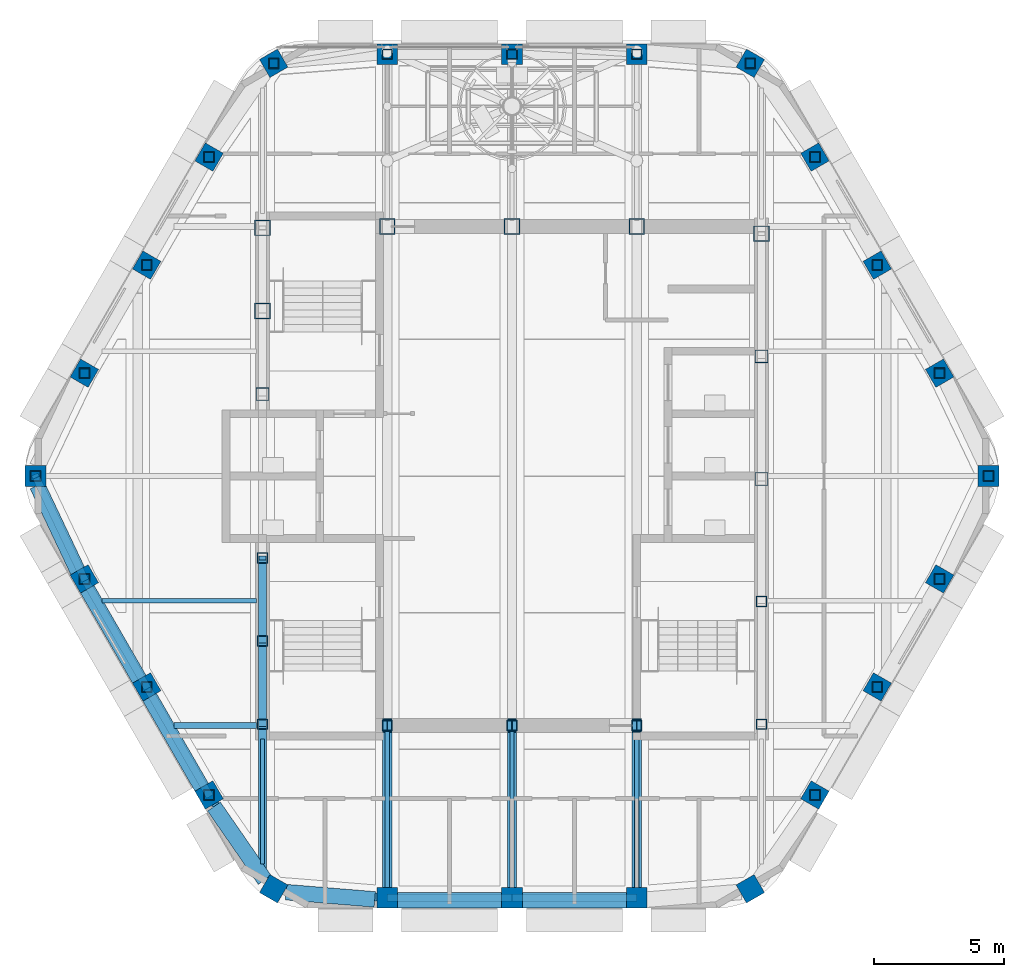
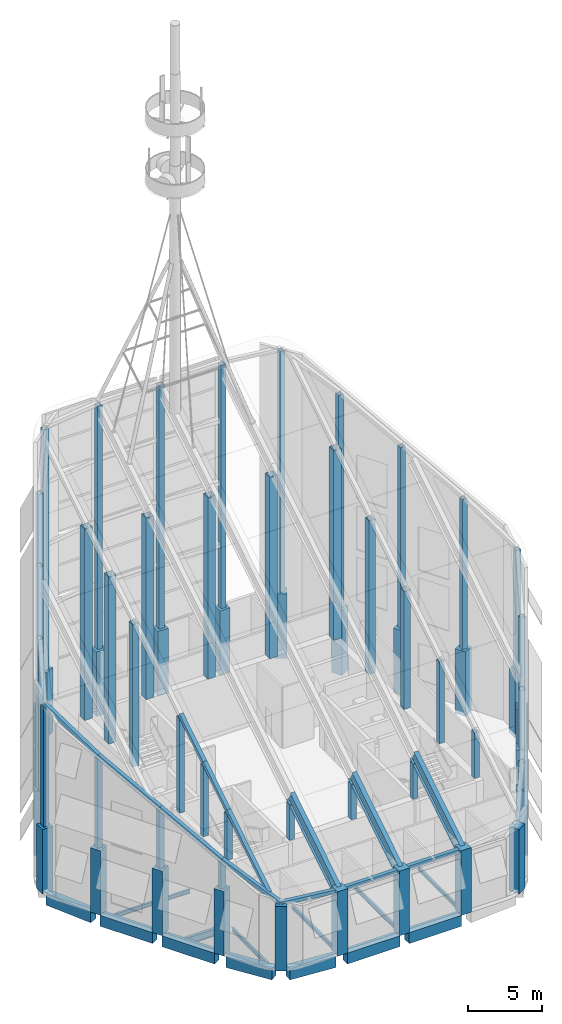
# One storey, part 1 of 25: 60 columns, 13 beams, 13 members.
"""IFC4 building model written with IfcOpenShell, lengths in metres."""

from ifc_helpers import new_model, si_unit, direction, frame, origin, origin_2d, place, context, subcontext, project, spatial, rectangle, hollow_rectangle, i_section, extrude, material, material_profile, profile_set, type_object, element, save


model = new_model("IFC4")

# Units and contexts
model_context = context("Model", 3, precision=1e-05, world=origin(), true_north=direction((0.0, 1.0)))
body_context = subcontext(model_context, "Body", "Model", "MODEL_VIEW")
ifc_project = project(units=[si_unit("LENGTHUNIT", "METRE"), si_unit("AREAUNIT", "SQUARE_METRE"), si_unit("VOLUMEUNIT", "CUBIC_METRE"), si_unit("PLANEANGLEUNIT", "RADIAN"), si_unit("MASSUNIT", "GRAM", prefix="KILO")], contexts=[model_context])

# Site, building, storey
site_placement = place(None, origin())
site = spatial("IfcSite", under=ifc_project, at=site_placement, CompositionType="ELEMENT")
building_placement = place(site_placement, origin())
building = spatial("IfcBuilding", under=site, at=building_placement, Name="Kolab Exchange Tower", CompositionType="ELEMENT")
storey_placement = place(building_placement, frame((0.0, 0.0, 301.89990234375)))
storey = spatial("IfcBuildingStorey", under=building, at=storey_placement, Name="L68", CompositionType="ELEMENT", Elevation=301.89990234375)

# Columns
ifc_material_1 = material(Name="Steel S355", Category="steel")
ifc_material_profile_1 = material_profile(ifc_material_1, hollow_rectangle(XDim=0.39990234375, YDim=0.39990234375, WallThickness=0.02001953125, at=origin_2d()), Name="HSS400X400X20")
ifc_profile_set_1 = profile_set([ifc_material_profile_1], Name="Steel S355")
column_type_1 = type_object("IfcColumnType", Name="CROWN POST HSS400X400X20", PredefinedType="COLUMN", material=ifc_profile_set_1)
column_1_placement = place(storey_placement, frame((-9.16796875, 15.87939453125, 5.0), z_axis=(0.0, 0.0, 1.0), x_axis=(1.0, 0.0, 0.0)))
element("IfcColumn", 1, at=column_1_placement, inside=storey, type_object=column_type_1, Name="col/L68/crown/F1-01", PredefinedType="COLUMN", context=body_context, shape_type="SweptSolid", body=[
    extrude(hollow_rectangle(XDim=0.39990234375, YDim=0.39990234375, WallThickness=0.02001953125, at=origin_2d()), origin(), (0.0, 0.0, 1.0), 19.76806640625),
])
for number, where, z_axis, x_axis, name in (
    (2, (-4.800048828125, 16.227783203125, 5.0), (0.0, 0.0, 1.0), (1.0, 0.0, 0.0), "col/L68/crown/F1-02"),
    (3, (0.0, 16.227783203125, 5.0), (0.0, 0.0, 1.0), (1.0, 0.0, 0.0), "col/L68/crown/F1-03"),
    (4, (4.800048828125, 16.227783203125, 5.0), (0.0, 0.0, 1.0), (1.0, 0.0, 0.0), "col/L68/crown/F1-04"),
):
    element("IfcColumn", number, at=place(storey_placement, frame(where, z_axis=z_axis, x_axis=x_axis)), inside=storey, type_object=column_type_1, Name=name, PredefinedType="COLUMN", context=body_context, shape_type="SweptSolid", body=[
        extrude(hollow_rectangle(XDim=0.39990234375, YDim=0.39990234375, WallThickness=0.02001953125, at=origin_2d()), origin(), (0.0, 0.0, 1.0), 19.985595703125),
    ])
column_2_placement = place(storey_placement, frame((9.16796875, 15.87939453125, 5.0), z_axis=(0.0, 0.0, 1.0), x_axis=(1.0, 0.0, 0.0)))
element("IfcColumn", 5, at=column_2_placement, inside=storey, type_object=column_type_1, Name="col/L68/crown/F2-01", PredefinedType="COLUMN", context=body_context, shape_type="SweptSolid", body=[
    extrude(hollow_rectangle(XDim=0.39990234375, YDim=0.39990234375, WallThickness=0.02001953125, at=origin_2d()), origin(), (0.0, 0.0, 1.0), 19.76806640625),
])
column_3_placement = place(storey_placement, frame((11.653564453125, 12.270751953125, 5.0), z_axis=(0.0, 0.0, 1.0), x_axis=(1.0, 0.0, 0.0)))
element("IfcColumn", 6, at=column_3_placement, inside=storey, type_object=column_type_1, Name="col/L68/crown/F2-02", PredefinedType="COLUMN", context=body_context, shape_type="SweptSolid", body=[
    extrude(hollow_rectangle(XDim=0.39990234375, YDim=0.39990234375, WallThickness=0.02001953125, at=origin_2d()), origin(), (0.0, 0.0, 1.0), 17.512939453125),
])
column_4_placement = place(storey_placement, frame((14.0537109375, 8.11376953125, 5.0), z_axis=(0.0, 0.0, 1.0), x_axis=(1.0, 0.0, 0.0)))
element("IfcColumn", 7, at=column_4_placement, inside=storey, type_object=column_type_1, Name="col/L68/crown/F2-03", PredefinedType="COLUMN", context=body_context, shape_type="SweptSolid", body=[
    extrude(hollow_rectangle(XDim=0.39990234375, YDim=0.39990234375, WallThickness=0.02001953125, at=origin_2d()), origin(), (0.0, 0.0, 1.0), 14.91552734375),
])
column_5_placement = place(storey_placement, frame((16.45361328125, 3.95703125, 5.0), z_axis=(0.0, 0.0, 1.0), x_axis=(1.0, 0.0, 0.0)))
element("IfcColumn", 8, at=column_5_placement, inside=storey, type_object=column_type_1, Name="col/L68/crown/F2-04", PredefinedType="COLUMN", context=body_context, shape_type="SweptSolid", body=[
    extrude(hollow_rectangle(XDim=0.39990234375, YDim=0.39990234375, WallThickness=0.02001953125, at=origin_2d()), origin(), (0.0, 0.0, 1.0), 12.318115234375),
])
column_6_placement = place(storey_placement, frame((18.3359375, 0.0, 5.0), z_axis=(0.0, 0.0, 1.0), x_axis=(1.0, 0.0, 0.0)))
element("IfcColumn", 9, at=column_6_placement, inside=storey, type_object=column_type_1, Name="col/L68/crown/F3-01", PredefinedType="COLUMN", context=body_context, shape_type="SweptSolid", body=[
    extrude(hollow_rectangle(XDim=0.39990234375, YDim=0.39990234375, WallThickness=0.02001953125, at=origin_2d()), origin(), (0.0, 0.0, 1.0), 9.845458984375),
])
column_7_placement = place(storey_placement, frame((16.45361328125, -3.95703125, 5.0), z_axis=(0.0, 0.0, 1.0), x_axis=(1.0, 0.0, 0.0)))
element("IfcColumn", 10, at=column_7_placement, inside=storey, type_object=column_type_1, Name="col/L68/crown/F3-02", PredefinedType="COLUMN", context=body_context, shape_type="SweptSolid", body=[
    extrude(hollow_rectangle(XDim=0.39990234375, YDim=0.39990234375, WallThickness=0.02001953125, at=origin_2d()), origin(), (0.0, 0.0, 1.0), 7.372802734375),
])
column_8_placement = place(storey_placement, frame((14.0537109375, -8.11376953125, 5.0), z_axis=(0.0, 0.0, 1.0), x_axis=(1.0, 0.0, 0.0)))
element("IfcColumn", 11, at=column_8_placement, inside=storey, type_object=column_type_1, Name="col/L68/crown/F3-03", PredefinedType="COLUMN", context=body_context, shape_type="SweptSolid", body=[
    extrude(hollow_rectangle(XDim=0.39990234375, YDim=0.39990234375, WallThickness=0.02001953125, at=origin_2d()), origin(), (0.0, 0.0, 1.0), 4.775390625),
])
for number, where, z_axis, x_axis, name in (
    (12, (11.653564453125, -12.270751953125, 5.0), (0.0, 0.0, 1.0), (1.0, 0.0, 0.0), "col/L68/crown/F3-04"),
    (13, (-11.653564453125, -12.270751953125, 5.0), (0.0, 0.0, 1.0), (1.0, 0.0, 0.0), "col/L68/crown/F5-02"),
):
    element("IfcColumn", number, at=place(storey_placement, frame(where, z_axis=z_axis, x_axis=x_axis)), inside=storey, type_object=column_type_1, Name=name, PredefinedType="COLUMN", context=body_context, shape_type="SweptSolid", body=[
        extrude(hollow_rectangle(XDim=0.39990234375, YDim=0.39990234375, WallThickness=0.02001953125, at=origin_2d()), origin(), (0.0, 0.0, 1.0), 2.177734375),
    ])
column_9_placement = place(storey_placement, frame((-14.0537109375, -8.11376953125, 5.0), z_axis=(0.0, 0.0, 1.0), x_axis=(1.0, 0.0, 0.0)))
element("IfcColumn", 14, at=column_9_placement, inside=storey, type_object=column_type_1, Name="col/L68/crown/F5-03", PredefinedType="COLUMN", context=body_context, shape_type="SweptSolid", body=[
    extrude(hollow_rectangle(XDim=0.39990234375, YDim=0.39990234375, WallThickness=0.02001953125, at=origin_2d()), origin(), (0.0, 0.0, 1.0), 4.775390625),
])
column_10_placement = place(storey_placement, frame((-16.45361328125, -3.95703125, 5.0), z_axis=(0.0, 0.0, 1.0), x_axis=(1.0, 0.0, 0.0)))
element("IfcColumn", 15, at=column_10_placement, inside=storey, type_object=column_type_1, Name="col/L68/crown/F5-04", PredefinedType="COLUMN", context=body_context, shape_type="SweptSolid", body=[
    extrude(hollow_rectangle(XDim=0.39990234375, YDim=0.39990234375, WallThickness=0.02001953125, at=origin_2d()), origin(), (0.0, 0.0, 1.0), 7.372802734375),
])
column_11_placement = place(storey_placement, frame((-18.3359375, 0.0, 5.0), z_axis=(0.0, 0.0, 1.0), x_axis=(1.0, 0.0, 0.0)))
element("IfcColumn", 16, at=column_11_placement, inside=storey, type_object=column_type_1, Name="col/L68/crown/F6-01", PredefinedType="COLUMN", context=body_context, shape_type="SweptSolid", body=[
    extrude(hollow_rectangle(XDim=0.39990234375, YDim=0.39990234375, WallThickness=0.02001953125, at=origin_2d()), origin(), (0.0, 0.0, 1.0), 9.845458984375),
])
column_12_placement = place(storey_placement, frame((-16.45361328125, 3.95703125, 5.0), z_axis=(0.0, 0.0, 1.0), x_axis=(1.0, 0.0, 0.0)))
element("IfcColumn", 17, at=column_12_placement, inside=storey, type_object=column_type_1, Name="col/L68/crown/F6-02", PredefinedType="COLUMN", context=body_context, shape_type="SweptSolid", body=[
    extrude(hollow_rectangle(XDim=0.39990234375, YDim=0.39990234375, WallThickness=0.02001953125, at=origin_2d()), origin(), (0.0, 0.0, 1.0), 12.318115234375),
])
column_13_placement = place(storey_placement, frame((-14.0537109375, 8.11376953125, 5.0), z_axis=(0.0, 0.0, 1.0), x_axis=(1.0, 0.0, 0.0)))
element("IfcColumn", 18, at=column_13_placement, inside=storey, type_object=column_type_1, Name="col/L68/crown/F6-03", PredefinedType="COLUMN", context=body_context, shape_type="SweptSolid", body=[
    extrude(hollow_rectangle(XDim=0.39990234375, YDim=0.39990234375, WallThickness=0.02001953125, at=origin_2d()), origin(), (0.0, 0.0, 1.0), 14.91552734375),
])
column_14_placement = place(storey_placement, frame((-11.653564453125, 12.270751953125, 5.0), z_axis=(0.0, 0.0, 1.0), x_axis=(1.0, 0.0, 0.0)))
element("IfcColumn", 19, at=column_14_placement, inside=storey, type_object=column_type_1, Name="col/L68/crown/F6-04", PredefinedType="COLUMN", context=body_context, shape_type="SweptSolid", body=[
    extrude(hollow_rectangle(XDim=0.39990234375, YDim=0.39990234375, WallThickness=0.02001953125, at=origin_2d()), origin(), (0.0, 0.0, 1.0), 17.512939453125),
])
column_15_placement = place(storey_placement, frame((-9.60009765625, -9.550048828125, 5.0), z_axis=(0.0, 0.0, 1.0), x_axis=(1.0, 0.0, 0.0)))
element("IfcColumn", 20, at=column_15_placement, inside=storey, type_object=column_type_1, Name="col/L68/crown/post-1-1", PredefinedType="COLUMN", context=body_context, shape_type="SweptSolid", body=[
    extrude(hollow_rectangle(XDim=0.39990234375, YDim=0.39990234375, WallThickness=0.02001953125, at=origin_2d()), origin(), (0.0, 0.0, 1.0), 3.774169921875),
])
column_16_placement = place(storey_placement, frame((-9.60009765625, -6.35009765625, 5.0), z_axis=(0.0, 0.0, 1.0), x_axis=(1.0, 0.0, 0.0)))
element("IfcColumn", 21, at=column_16_placement, inside=storey, type_object=column_type_1, Name="col/L68/crown/post-1-2", PredefinedType="COLUMN", context=body_context, shape_type="SweptSolid", body=[
    extrude(hollow_rectangle(XDim=0.39990234375, YDim=0.39990234375, WallThickness=0.02001953125, at=origin_2d()), origin(), (0.0, 0.0, 1.0), 5.773681640625),
])
column_17_placement = place(storey_placement, frame((-9.60009765625, -3.14990234375, 5.0), z_axis=(0.0, 0.0, 1.0), x_axis=(1.0, 0.0, 0.0)))
element("IfcColumn", 22, at=column_17_placement, inside=storey, type_object=column_type_1, Name="col/L68/crown/post-1-3", PredefinedType="COLUMN", context=body_context, shape_type="SweptSolid", body=[
    extrude(hollow_rectangle(XDim=0.39990234375, YDim=0.39990234375, WallThickness=0.02001953125, at=origin_2d()), origin(), (0.0, 0.0, 1.0), 7.7734375),
])
for number, where, z_axis, x_axis, name in (
    (23, (-4.800048828125, -9.60009765625, 5.0), (0.0, 0.0, 1.0), (1.0, 0.0, 0.0), "col/L68/crown/post-2-1"),
    (24, (0.0, -9.60009765625, 5.0), (0.0, 0.0, 1.0), (1.0, 0.0, 0.0), "col/L68/crown/post-3-1"),
    (25, (4.800048828125, -9.60009765625, 5.0), (0.0, 0.0, 1.0), (1.0, 0.0, 0.0), "col/L68/crown/post-4-1"),
):
    element("IfcColumn", number, at=place(storey_placement, frame(where, z_axis=z_axis, x_axis=x_axis)), inside=storey, type_object=column_type_1, Name=name, PredefinedType="COLUMN", context=body_context, shape_type="SweptSolid", body=[
        extrude(hollow_rectangle(XDim=0.39990234375, YDim=0.39990234375, WallThickness=0.02001953125, at=origin_2d()), origin(), (0.0, 0.0, 1.0), 2.91748046875),
    ])
column_18_placement = place(storey_placement, frame((9.60009765625, -9.550048828125, 5.0), z_axis=(0.0, 0.0, 1.0), x_axis=(1.0, 0.0, 0.0)))
element("IfcColumn", 26, at=column_18_placement, inside=storey, type_object=column_type_1, Name="col/L68/crown/post-5-1", PredefinedType="COLUMN", context=body_context, shape_type="SweptSolid", body=[
    extrude(hollow_rectangle(XDim=0.39990234375, YDim=0.39990234375, WallThickness=0.02001953125, at=origin_2d()), origin(), (0.0, 0.0, 1.0), 3.774169921875),
])
column_19_placement = place(storey_placement, frame((9.60009765625, -4.831298828125, 5.0), z_axis=(0.0, 0.0, 1.0), x_axis=(1.0, 0.0, 0.0)))
element("IfcColumn", 27, at=column_19_placement, inside=storey, type_object=column_type_1, Name="col/L68/crown/post-5-2", PredefinedType="COLUMN", context=body_context, shape_type="SweptSolid", body=[
    extrude(hollow_rectangle(XDim=0.39990234375, YDim=0.39990234375, WallThickness=0.02001953125, at=origin_2d()), origin(), (0.0, 0.0, 1.0), 6.722900390625),
])
ifc_material_profile_2 = material_profile(ifc_material_1, hollow_rectangle(XDim=0.5, YDim=0.5, WallThickness=0.02490234375, at=origin_2d()), Name="HSS500X500X25")
ifc_profile_set_2 = profile_set([ifc_material_profile_2], Name="Steel S355")
column_type_2 = type_object("IfcColumnType", Name="CROWN POST HSS500X500X25", PredefinedType="COLUMN", material=ifc_profile_set_2)
column_20_placement = place(storey_placement, frame((-9.60009765625, 3.14990234375, 5.0), z_axis=(0.0, 0.0, 1.0), x_axis=(1.0, 0.0, 0.0)))
element("IfcColumn", 28, at=column_20_placement, inside=storey, type_object=column_type_2, Name="col/L68/crown/post-1-4", PredefinedType="COLUMN", context=body_context, shape_type="SweptSolid", body=[
    extrude(hollow_rectangle(XDim=0.5, YDim=0.5, WallThickness=0.02490234375, at=origin_2d()), origin(), (0.0, 0.0, 1.0), 11.7099609375),
])
column_21_placement = place(storey_placement, frame((9.60009765625, -0.112548828125, 5.0), z_axis=(0.0, 0.0, 1.0), x_axis=(1.0, 0.0, 0.0)))
element("IfcColumn", 29, at=column_21_placement, inside=storey, type_object=column_type_2, Name="col/L68/crown/post-5-3", PredefinedType="COLUMN", context=body_context, shape_type="SweptSolid", body=[
    extrude(hollow_rectangle(XDim=0.5, YDim=0.5, WallThickness=0.02490234375, at=origin_2d()), origin(), (0.0, 0.0, 1.0), 9.67138671875),
])
column_22_placement = place(storey_placement, frame((9.60009765625, 4.606201171875, 5.0), z_axis=(0.0, 0.0, 1.0), x_axis=(1.0, 0.0, 0.0)))
element("IfcColumn", 30, at=column_22_placement, inside=storey, type_object=column_type_2, Name="col/L68/crown/post-5-4", PredefinedType="COLUMN", context=body_context, shape_type="SweptSolid", body=[
    extrude(hollow_rectangle(XDim=0.5, YDim=0.5, WallThickness=0.02490234375, at=origin_2d()), origin(), (0.0, 0.0, 1.0), 12.619873046875),
])
ifc_material_profile_3 = material_profile(ifc_material_1, hollow_rectangle(XDim=0.60009765625, YDim=0.60009765625, WallThickness=0.031982421875, at=origin_2d()), Name="HSS600X600X32")
ifc_profile_set_3 = profile_set([ifc_material_profile_3], Name="Steel S355")
column_type_3 = type_object("IfcColumnType", Name="CROWN POST HSS600X600X32", PredefinedType="COLUMN", material=ifc_profile_set_3)
column_23_placement = place(storey_placement, frame((-9.60009765625, 6.35009765625, 5.0), z_axis=(0.0, 0.0, 1.0), x_axis=(1.0, 0.0, 0.0)))
element("IfcColumn", 31, at=column_23_placement, inside=storey, type_object=column_type_3, Name="col/L68/crown/post-1-5", PredefinedType="COLUMN", context=body_context, shape_type="SweptSolid", body=[
    extrude(hollow_rectangle(XDim=0.60009765625, YDim=0.60009765625, WallThickness=0.031982421875, at=origin_2d()), origin(), (0.0, 0.0, 1.0), 13.709716796875),
])
column_24_placement = place(storey_placement, frame((-9.60009765625, 9.550048828125, 5.0), z_axis=(0.0, 0.0, 1.0), x_axis=(1.0, 0.0, 0.0)))
element("IfcColumn", 32, at=column_24_placement, inside=storey, type_object=column_type_3, Name="col/L68/crown/post-1-6", PredefinedType="COLUMN", context=body_context, shape_type="SweptSolid", body=[
    extrude(hollow_rectangle(XDim=0.60009765625, YDim=0.60009765625, WallThickness=0.031982421875, at=origin_2d()), origin(), (0.0, 0.0, 1.0), 15.709228515625),
])
for number, where, z_axis, x_axis, name in (
    (33, (-4.800048828125, 9.60009765625, 5.0), (0.0, 0.0, 1.0), (1.0, 0.0, 0.0), "col/L68/crown/post-2-2"),
    (34, (0.0, 9.60009765625, 5.0), (0.0, 0.0, 1.0), (1.0, 0.0, 0.0), "col/L68/crown/post-3-2"),
    (35, (4.800048828125, 9.60009765625, 5.0), (0.0, 0.0, 1.0), (1.0, 0.0, 0.0), "col/L68/crown/post-4-2"),
):
    element("IfcColumn", number, at=place(storey_placement, frame(where, z_axis=z_axis, x_axis=x_axis)), inside=storey, type_object=column_type_3, Name=name, PredefinedType="COLUMN", context=body_context, shape_type="SweptSolid", body=[
        extrude(hollow_rectangle(XDim=0.60009765625, YDim=0.60009765625, WallThickness=0.031982421875, at=origin_2d()), origin(), (0.0, 0.0, 1.0), 14.9150390625),
    ])
column_25_placement = place(storey_placement, frame((9.60009765625, 9.324951171875, 5.0), z_axis=(0.0, 0.0, 1.0), x_axis=(1.0, 0.0, 0.0)))
element("IfcColumn", 36, at=column_25_placement, inside=storey, type_object=column_type_3, Name="col/L68/crown/post-5-5", PredefinedType="COLUMN", context=body_context, shape_type="SweptSolid", body=[
    extrude(hollow_rectangle(XDim=0.60009765625, YDim=0.60009765625, WallThickness=0.031982421875, at=origin_2d()), origin(), (0.0, 0.0, 1.0), 15.568603515625),
])
ifc_material_2 = material(Name="Concrete C50/60", Category="concrete")
ifc_material_profile_4 = material_profile(ifc_material_2, rectangle(XDim=0.800048828125, YDim=0.800048828125, at=origin_2d()), Name="RC800")
ifc_profile_set_4 = profile_set([ifc_material_profile_4], Name="Concrete C50/60")
column_type_4 = type_object("IfcColumnType", Name="PERIMETER COLUMN 800 SQ C50/60", PredefinedType="COLUMN", material=ifc_profile_set_4)
for number, where, z_axis, x_axis, name in (
    (37, (-9.16796875, 15.87939453125, -0.2998046875), (0.0, 0.0, 1.0), (0.866025403784, 0.5, 0.0), "col/L68/F1-01"),
    (38, (-4.800048828125, 16.227783203125, -0.2998046875), (0.0, 0.0, 1.0), (1.0, 0.0, 0.0), "col/L68/F1-02"),
    (39, (0.0, 16.227783203125, -0.2998046875), (0.0, 0.0, 1.0), (1.0, 0.0, 0.0), "col/L68/F1-03"),
    (40, (4.800048828125, 16.227783203125, -0.2998046875), (0.0, 0.0, 1.0), (1.0, 0.0, 0.0), "col/L68/F1-04"),
    (41, (9.16796875, 15.87939453125, -0.2998046875), (0.0, 0.0, 1.0), (0.5, 0.866025403784, 0.0), "col/L68/F2-01"),
    (42, (11.653564453125, 12.270751953125, -0.2998046875), (0.0, 0.0, 1.0), (0.866025403784, 0.5, 0.0), "col/L68/F2-02"),
    (43, (14.0537109375, 8.11376953125, -0.2998046875), (0.0, 0.0, 1.0), (0.866025403784, 0.5, 0.0), "col/L68/F2-03"),
    (44, (16.45361328125, 3.95703125, -0.2998046875), (0.0, 0.0, 1.0), (0.866025403784, 0.5, 0.0), "col/L68/F2-04"),
    (45, (18.3359375, 0.0, -0.2998046875), (0.0, 0.0, 1.0), (1.0, 0.0, 0.0), "col/L68/F3-01"),
    (46, (16.45361328125, -3.95703125, -0.2998046875), (0.0, 0.0, 1.0), (0.5, 0.866025403784, 0.0), "col/L68/F3-02"),
    (47, (14.0537109375, -8.11376953125, -0.2998046875), (0.0, 0.0, 1.0), (0.5, 0.866025403784, 0.0), "col/L68/F3-03"),
    (48, (11.653564453125, -12.270751953125, -0.2998046875), (0.0, 0.0, 1.0), (0.5, 0.866025403784, 0.0), "col/L68/F3-04"),
    (49, (9.16796875, -15.87939453125, -0.2998046875), (0.0, 0.0, 1.0), (0.866025403784, 0.5, 0.0), "col/L68/F4-01"),
    (50, (4.800048828125, -16.227783203125, -0.2998046875), (0.0, 0.0, 1.0), (1.0, 0.0, 0.0), "col/L68/F4-02"),
    (51, (0.0, -16.227783203125, -0.2998046875), (0.0, 0.0, 1.0), (1.0, 0.0, 0.0), "col/L68/F4-03"),
    (52, (-4.800048828125, -16.227783203125, -0.2998046875), (0.0, 0.0, 1.0), (1.0, 0.0, 0.0), "col/L68/F4-04"),
    (53, (-9.16796875, -15.87939453125, -0.2998046875), (0.0, 0.0, 1.0), (0.5, 0.866025403784, 0.0), "col/L68/F5-01"),
    (54, (-11.653564453125, -12.270751953125, -0.2998046875), (0.0, 0.0, 1.0), (0.866025403784, 0.5, 0.0), "col/L68/F5-02"),
    (55, (-14.0537109375, -8.11376953125, -0.2998046875), (0.0, 0.0, 1.0), (0.866025403784, 0.5, 0.0), "col/L68/F5-03"),
    (56, (-16.45361328125, -3.95703125, -0.2998046875), (0.0, 0.0, 1.0), (0.866025403784, 0.5, 0.0), "col/L68/F5-04"),
    (57, (-18.3359375, 0.0, -0.2998046875), (0.0, 0.0, 1.0), (1.0, 0.0, 0.0), "col/L68/F6-01"),
    (58, (-16.45361328125, 3.95703125, -0.2998046875), (0.0, 0.0, 1.0), (0.5, 0.866025403784, 0.0), "col/L68/F6-02"),
    (59, (-14.0537109375, 8.11376953125, -0.2998046875), (0.0, 0.0, 1.0), (0.5, 0.866025403784, 0.0), "col/L68/F6-03"),
    (60, (-11.653564453125, 12.270751953125, -0.2998046875), (0.0, 0.0, 1.0), (0.5, 0.866025403784, 0.0), "col/L68/F6-04"),
):
    element("IfcColumn", number, at=place(storey_placement, frame(where, z_axis=z_axis, x_axis=x_axis)), inside=storey, type_object=column_type_4, Name=name, PredefinedType="COLUMN", context=body_context, shape_type="SweptSolid", body=[
        extrude(rectangle(XDim=0.800048828125, YDim=0.800048828125, at=origin_2d()), origin(), (0.0, 0.0, 1.0), 5.2998046875),
    ])

# Members
ifc_material_profile_5 = material_profile(ifc_material_1, hollow_rectangle(XDim=0.300048828125, YDim=0.300048828125, WallThickness=0.01611328125, at=origin_2d()), Name="HSS300X300X16")
ifc_profile_set_5 = profile_set([ifc_material_profile_5], Name="Steel S355")
member_type_1 = type_object("IfcMemberType", Name="CROWN RAFTER HSS300X300X16", PredefinedType="RAFTER", material=ifc_profile_set_5)
member_1_placement = place(storey_placement, frame((-9.60009765625, -15.05810546875, 5.50927734375), z_axis=(0.0, 0.848042647464, 0.529927983864), x_axis=(-1.0, 0.0, 0.0)))
element("IfcMember", 61, at=member_1_placement, inside=storey, type_object=member_type_1, Name="mem/L68/crown/rafter-1-1", PredefinedType="RAFTER", context=body_context, shape_type="SweptSolid", body=[
    extrude(hollow_rectangle(XDim=0.300048828125, YDim=0.300048828125, WallThickness=0.01611328125, at=origin_2d()), origin(), (0.0, 0.0, 1.0), 6.4951171875),
])
member_2_placement = place(storey_placement, frame((-9.60009765625, -9.550048828125, 8.951171875), z_axis=(0.0, 0.848052823913, 0.529911698165), x_axis=(-1.0, 0.0, 0.0)))
element("IfcMember", 62, at=member_2_placement, inside=storey, type_object=member_type_1, Name="mem/L68/crown/rafter-1-2", PredefinedType="RAFTER", context=body_context, shape_type="SweptSolid", body=[
    extrude(hollow_rectangle(XDim=0.300048828125, YDim=0.300048828125, WallThickness=0.01611328125, at=origin_2d()), origin(), (0.0, 0.0, 1.0), 3.773193359375),
])
member_3_placement = place(storey_placement, frame((-9.60009765625, -6.35009765625, 10.95068359375), z_axis=(0.0, 0.848070991234, 0.529882622689), x_axis=(-1.0, 0.0, 0.0)))
element("IfcMember", 63, at=member_3_placement, inside=storey, type_object=member_type_1, Name="mem/L68/crown/rafter-1-3", PredefinedType="RAFTER", context=body_context, shape_type="SweptSolid", body=[
    extrude(hollow_rectangle(XDim=0.300048828125, YDim=0.300048828125, WallThickness=0.01611328125, at=origin_2d()), origin(), (0.0, 0.0, 1.0), 3.7734375),
])
ifc_material_profile_6 = material_profile(ifc_material_1, i_section(OverallWidth=0.35009765625, OverallDepth=1.0, WebThickness=0.02001953125, FlangeThickness=0.035888671875, at=origin_2d()), Name="PG1000X350")
ifc_profile_set_6 = profile_set([ifc_material_profile_6], Name="Steel S355")
member_type_2 = type_object("IfcMemberType", Name="CROWN RAFTER PG1000X350", PredefinedType="RAFTER", material=ifc_profile_set_6)
for number, where, z_axis, x_axis, name in (
    (64, (-4.800048828125, -16.11767578125, 4.434326171875), (0.0, 0.848041132606, 0.529930408081), (-1.0, 0.0, 0.0), "mem/L68/crown/rafter-2-1"),
    (65, (0.0, -16.11767578125, 4.434326171875), (0.0, 0.848041132606, 0.529930408081), (-1.0, 0.0, 0.0), "mem/L68/crown/rafter-3-1"),
):
    element("IfcMember", number, at=place(storey_placement, frame(where, z_axis=z_axis, x_axis=x_axis)), inside=storey, type_object=member_type_2, Name=name, PredefinedType="RAFTER", context=body_context, shape_type="SweptSolid", body=[
        extrude(i_section(OverallWidth=0.35009765625, OverallDepth=1.0, WebThickness=0.02001953125, FlangeThickness=0.035888671875, at=origin_2d()), origin(), (0.0, 0.0, 1.0), 7.685546875),
    ])
member_4_placement = place(storey_placement, frame((4.800048828125, -16.1171875, 4.4345703125), z_axis=(0.0, 0.848037566543, 0.529936114764), x_axis=(-1.0, 0.0, 0.0)))
element("IfcMember", 66, at=member_4_placement, inside=storey, type_object=member_type_2, Name="mem/L68/crown/rafter-4-1", PredefinedType="RAFTER", context=body_context, shape_type="SweptSolid", body=[
    extrude(i_section(OverallWidth=0.35009765625, OverallDepth=1.0, WebThickness=0.02001953125, FlangeThickness=0.035888671875, at=origin_2d()), origin(), (0.0, 0.0, 1.0), 7.684814453125),
])
ifc_material_profile_7 = material_profile(ifc_material_1, hollow_rectangle(XDim=0.300048828125, YDim=0.300048828125, WallThickness=0.01611328125, at=origin_2d()), Name="HSS300X300X16")
ifc_profile_set_7 = profile_set([ifc_material_profile_7], Name="Steel S355")
member_type_3 = type_object("IfcMemberType", Name="CROWN RING HSS300X300X16", PredefinedType="CHORD", material=ifc_profile_set_7)
for number, where, z_axis, x_axis, name in (
    (67, (4.800048828125, -16.227783203125, 4.80517578125), (-1.0, 0.0, 0.0), (0.0, -1.0, 0.0), "mem/L68/crown/ring-F4-02"),
    (68, (0.0, -16.227783203125, 4.80517578125), (-1.0, 0.0, 0.0), (0.0, -1.0, 0.0), "mem/L68/crown/ring-F4-03"),
):
    element("IfcMember", number, at=place(storey_placement, frame(where, z_axis=z_axis, x_axis=x_axis)), inside=storey, type_object=member_type_3, Name=name, PredefinedType="CHORD", context=body_context, shape_type="SweptSolid", body=[
        extrude(hollow_rectangle(XDim=0.300048828125, YDim=0.300048828125, WallThickness=0.01611328125, at=origin_2d()), origin(), (0.0, 0.0, 1.0), 4.800048828125),
    ])
member_5_placement = place(storey_placement, frame((-4.800048828125, -16.227783203125, 4.80517578125), z_axis=(-0.995605365729, 0.079410254144, 0.049638364889), x_axis=(-0.079508267441, -0.99683420658, 0.0)))
element("IfcMember", 69, at=member_5_placement, inside=storey, type_object=member_type_3, Name="mem/L68/crown/ring-F4-04", PredefinedType="CHORD", context=body_context, shape_type="SweptSolid", body=[
    extrude(hollow_rectangle(XDim=0.300048828125, YDim=0.300048828125, WallThickness=0.01611328125, at=origin_2d()), origin(), (0.0, 0.0, 1.0), 4.38720703125),
])
member_6_placement = place(storey_placement, frame((-9.16796875, -15.87939453125, 5.02294921875), z_axis=(-0.504384324432, 0.732276269465, 0.457567392245), x_axis=(-0.823545775966, -0.567249817002, 0.0)))
element("IfcMember", 70, at=member_6_placement, inside=storey, type_object=member_type_3, Name="mem/L68/crown/ring-F5-01", PredefinedType="CHORD", context=body_context, shape_type="SweptSolid", body=[
    extrude(hollow_rectangle(XDim=0.300048828125, YDim=0.300048828125, WallThickness=0.01611328125, at=origin_2d()), origin(), (0.0, 0.0, 1.0), 4.927978515625),
])
for number, where, z_axis, x_axis, name in (
    (71, (-11.653564453125, -12.270751953125, 7.27783203125), (-0.439763172154, 0.761656752341, 0.475906864871), (-0.866015339567, -0.500017431331, 0.0), "mem/L68/crown/ring-F5-02"),
    (72, (-14.0537109375, -8.11376953125, 9.875244140625), (-0.43971772805, 0.76165551938, 0.475950826699), (-0.866037363387, -0.499979284789, 0.0), "mem/L68/crown/ring-F5-03"),
):
    element("IfcMember", number, at=place(storey_placement, frame(where, z_axis=z_axis, x_axis=x_axis)), inside=storey, type_object=member_type_3, Name=name, PredefinedType="CHORD", context=body_context, shape_type="SweptSolid", body=[
        extrude(hollow_rectangle(XDim=0.300048828125, YDim=0.300048828125, WallThickness=0.01611328125, at=origin_2d()), origin(), (0.0, 0.0, 1.0), 5.457763671875),
    ])
member_7_placement = place(storey_placement, frame((-16.45361328125, -3.956787109375, 12.472900390625), z_axis=(-0.374136501659, 0.786463071646, 0.491424170208), x_axis=(-0.903025238378, -0.429587498482, 0.0)))
element("IfcMember", 73, at=member_7_placement, inside=storey, type_object=member_type_3, Name="mem/L68/crown/ring-F5-04", PredefinedType="CHORD", context=body_context, shape_type="SweptSolid", body=[
    extrude(hollow_rectangle(XDim=0.300048828125, YDim=0.300048828125, WallThickness=0.01611328125, at=origin_2d()), origin(), (0.0, 0.0, 1.0), 5.031005859375),
])

# Beams
ifc_material_profile_8 = material_profile(ifc_material_1, i_section(OverallWidth=0.1650390625, OverallDepth=0.31005859375, WebThickness=0.005859375, FlangeThickness=0.009765625, at=origin_2d()), Name="W310X39")
ifc_profile_set_8 = profile_set([ifc_material_profile_8], Name="Steel S355")
beam_type_1 = type_object("IfcBeamType", Name="FLOOR BEAM W310X39", PredefinedType="BEAM", material=ifc_profile_set_8)
beam_1_placement = place(storey_placement, frame((-15.77587890625, -4.800048828125, -0.454833984375), z_axis=(1.0, 0.0, 0.0), x_axis=(0.0, 1.0, 0.0)))
element("IfcBeam", 74, at=beam_1_placement, inside=storey, type_object=beam_type_1, Name="beam/L68/fr/001", PredefinedType="BEAM", context=body_context, shape_type="SweptSolid", body=[
    extrude(i_section(OverallWidth=0.1650390625, OverallDepth=0.31005859375, WebThickness=0.005859375, FlangeThickness=0.009765625, at=origin_2d()), origin(), (0.0, 0.0, 1.0), 5.94091796875),
])
beam_2_placement = place(storey_placement, frame((-9.60009765625, -14.926513671875, -0.454833984375), z_axis=(0.0, 1.0, 0.0), x_axis=(-1.0, 0.0, 0.0)))
element("IfcBeam", 75, at=beam_2_placement, inside=storey, type_object=beam_type_1, Name="beam/L68/fr/003", PredefinedType="BEAM", context=body_context, shape_type="SweptSolid", body=[
    extrude(i_section(OverallWidth=0.1650390625, OverallDepth=0.31005859375, WebThickness=0.005859375, FlangeThickness=0.009765625, at=origin_2d()), origin(), (0.0, 0.0, 1.0), 4.81640625),
])
for number, where, z_axis, x_axis, name in (
    (76, (-4.800048828125, -15.86767578125, -0.454833984375), (0.0, 1.0, 0.0), (-1.0, 0.0, 0.0), "beam/L68/fr/005"),
    (77, (0.0, -15.86767578125, -0.454833984375), (0.0, 1.0, 0.0), (-1.0, 0.0, 0.0), "beam/L68/fr/007"),
):
    element("IfcBeam", number, at=place(storey_placement, frame(where, z_axis=z_axis, x_axis=x_axis)), inside=storey, type_object=beam_type_1, Name=name, PredefinedType="BEAM", context=body_context, shape_type="SweptSolid", body=[
        extrude(i_section(OverallWidth=0.1650390625, OverallDepth=0.31005859375, WebThickness=0.005859375, FlangeThickness=0.009765625, at=origin_2d()), origin(), (0.0, 0.0, 1.0), 6.03271484375),
    ])
beam_3_placement = place(storey_placement, frame((4.800048828125, -15.86767578125, -0.454833984375), z_axis=(0.0, 1.0, 0.0), x_axis=(-1.0, 0.0, 0.0)))
element("IfcBeam", 78, at=beam_3_placement, inside=storey, type_object=beam_type_1, Name="beam/L68/fr/009", PredefinedType="BEAM", context=body_context, shape_type="SweptSolid", body=[
    extrude(i_section(OverallWidth=0.1650390625, OverallDepth=0.31005859375, WebThickness=0.005859375, FlangeThickness=0.009765625, at=origin_2d()), origin(), (0.0, 0.0, 1.0), 5.757568359375),
])
ifc_material_profile_9 = material_profile(ifc_material_1, i_section(OverallWidth=0.22802734375, OverallDepth=0.60791015625, WebThickness=0.01123046875, FlangeThickness=0.017333984375, at=origin_2d()), Name="W610X113")
ifc_profile_set_9 = profile_set([ifc_material_profile_9], Name="Steel S355")
beam_type_2 = type_object("IfcBeamType", Name="FLOOR GIRDER W610X113", PredefinedType="BEAM", material=ifc_profile_set_9)
beam_4_placement = place(storey_placement, frame((-13.004638671875, -9.60009765625, -0.60400390625), z_axis=(1.0, 0.0, 0.0), x_axis=(0.0, 1.0, 0.0)))
element("IfcBeam", 79, at=beam_4_placement, inside=storey, type_object=beam_type_2, Name="beam/L68/gd/000", PredefinedType="BEAM", context=body_context, shape_type="SweptSolid", body=[
    extrude(i_section(OverallWidth=0.22802734375, OverallDepth=0.60791015625, WebThickness=0.01123046875, FlangeThickness=0.017333984375, at=origin_2d()), origin(), (0.0, 0.0, 1.0), 3.169677734375),
])
ifc_material_profile_10 = material_profile(ifc_material_2, rectangle(XDim=0.60009765625, YDim=0.89990234375, at=origin_2d()), Name="RC600X900")
ifc_profile_set_10 = profile_set([ifc_material_profile_10], Name="Concrete C50/60")
beam_type_3 = type_object("IfcBeamType", Name="SPANDREL BEAM 600X900 C50/60", PredefinedType="BEAM", material=ifc_profile_set_10)
for number, where, z_axis, x_axis, name in (
    (80, (4.43994140625, -16.32763671875, -0.75), (-1.0, 0.0, 0.0), (0.0, -1.0, 0.0), "beam/L68/sp/F4-02"),
    (81, (-0.360107421875, -16.32763671875, -0.75), (-1.0, 0.0, 0.0), (0.0, -1.0, 0.0), "beam/L68/sp/F4-03"),
):
    element("IfcBeam", number, at=place(storey_placement, frame(where, z_axis=z_axis, x_axis=x_axis)), inside=storey, type_object=beam_type_3, Name=name, PredefinedType="BEAM", context=body_context, shape_type="SweptSolid", body=[
        extrude(rectangle(XDim=0.60009765625, YDim=0.89990234375, at=origin_2d()), origin(), (0.0, 0.0, 1.0), 4.079833984375),
    ])
for number, where, z_axis, x_axis, name in (
    (82, (-5.27978515625, -16.288330078125, -0.75), (-0.996665499452, 0.081595846719, 0.0), (-0.081595846719, -0.996665499452, 0.0), "beam/L68/sp/F4-04"),
    (83, (-9.51513671875, -15.536376953125, -0.75), (-0.569010039557, 0.822330575185, 0.0), (-0.822330575185, -0.569010039557, 0.0), "beam/L68/sp/F5-01"),
):
    element("IfcBeam", number, at=place(storey_placement, frame(where, z_axis=z_axis, x_axis=x_axis)), inside=storey, type_object=beam_type_3, Name=name, PredefinedType="BEAM", context=body_context, shape_type="SweptSolid", body=[
        extrude(rectangle(XDim=0.60009765625, YDim=0.89990234375, at=origin_2d()), origin(), (0.0, 0.0, 1.0), 3.428955078125),
    ])
beam_5_placement = place(storey_placement, frame((-11.920166015625, -12.009033203125, -0.75), z_axis=(-0.500000428765, 0.866025156237, 0.0), x_axis=(-0.866025156237, -0.500000428765, 0.0)))
element("IfcBeam", 84, at=beam_5_placement, inside=storey, type_object=beam_type_3, Name="beam/L68/sp/F5-02", PredefinedType="BEAM", context=body_context, shape_type="SweptSolid", body=[
    extrude(rectangle(XDim=0.60009765625, YDim=0.89990234375, at=origin_2d()), origin(), (0.0, 0.0, 1.0), 4.080078125),
])
beam_6_placement = place(storey_placement, frame((-14.3203125, -7.85205078125, -0.75), z_axis=(-0.499955548806, 0.866051066172, 0.0), x_axis=(-0.866051066172, -0.499955548806, 0.0)))
element("IfcBeam", 85, at=beam_6_placement, inside=storey, type_object=beam_type_3, Name="beam/L68/sp/F5-03", PredefinedType="BEAM", context=body_context, shape_type="SweptSolid", body=[
    extrude(rectangle(XDim=0.60009765625, YDim=0.89990234375, at=origin_2d()), origin(), (0.0, 0.0, 1.0), 4.079833984375),
])
beam_7_placement = place(storey_placement, frame((-16.69482421875, -3.68017578125, -0.75), z_axis=(-0.427622877227, 0.903957230665, 0.0), x_axis=(-0.903957230665, -0.427622877227, 0.0)))
element("IfcBeam", 86, at=beam_7_placement, inside=storey, type_object=beam_type_3, Name="beam/L68/sp/F5-04", PredefinedType="BEAM", context=body_context, shape_type="SweptSolid", body=[
    extrude(rectangle(XDim=0.60009765625, YDim=0.89990234375, at=origin_2d()), origin(), (0.0, 0.0, 1.0), 3.668701171875),
])

save(model, "model.ifc")
